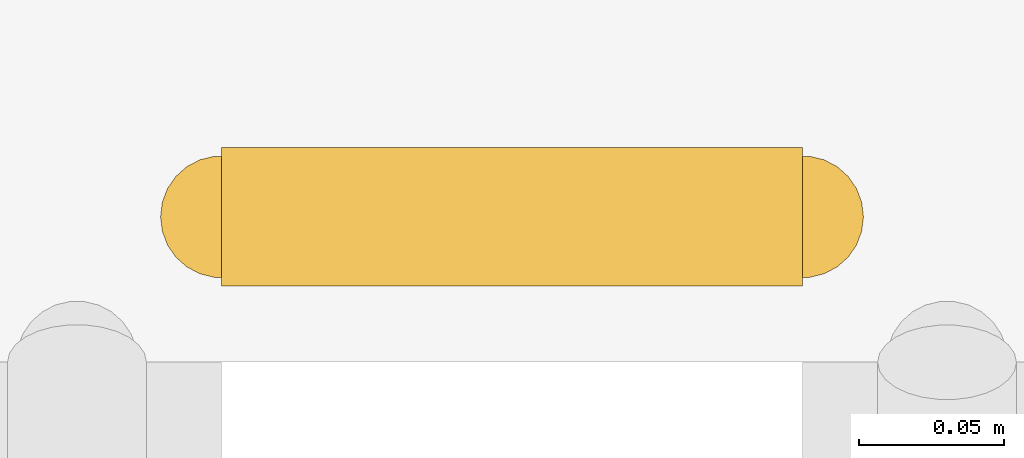
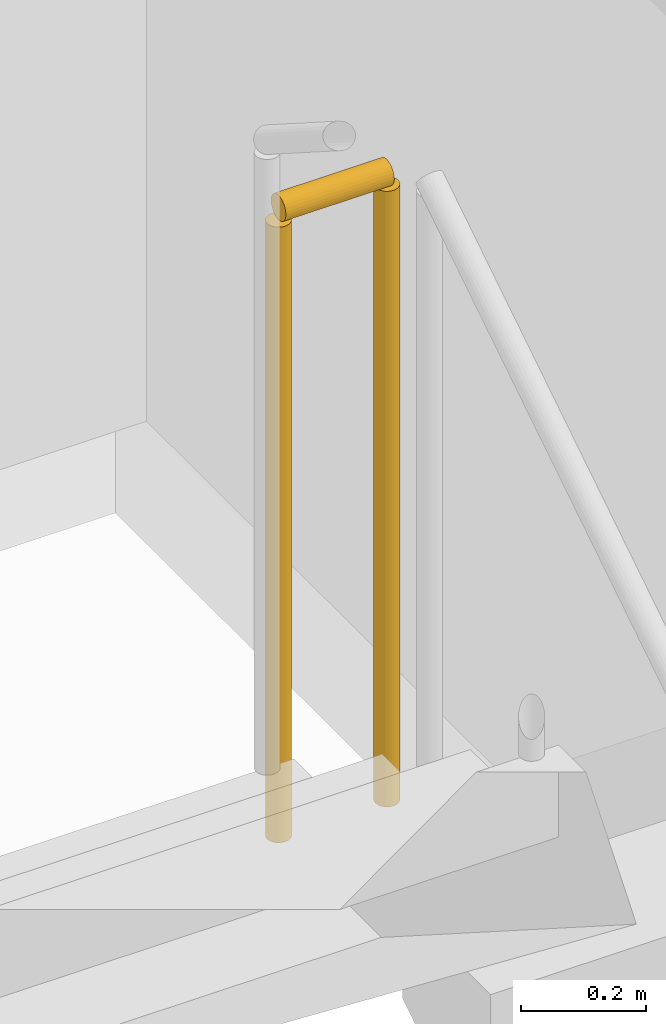
# One storey, part 11 of 11: 1 railing.
"""IFC4 building model written with IfcOpenShell, lengths in metres."""

from ifc_helpers import new_model, si_unit, direction, frame, origin, origin_2d, place, context, subcontext, project, spatial, circle, extrude, material, type_object, element, save


model = new_model("IFC4")

# Units and contexts
model_context = context("Model", 3, precision=1e-05, world=origin(), true_north=direction((0.0, 1.0)))
body_context = subcontext(model_context, "Body", "Model", "MODEL_VIEW")
ifc_project = project(units=[si_unit("LENGTHUNIT", "METRE"), si_unit("AREAUNIT", "SQUARE_METRE"), si_unit("VOLUMEUNIT", "CUBIC_METRE"), si_unit("PLANEANGLEUNIT", "RADIAN"), si_unit("MASSUNIT", "GRAM", prefix="KILO")], contexts=[model_context])

# Site, building, storey
site_placement = place(None, origin())
site = spatial("IfcSite", under=ifc_project, at=site_placement, CompositionType="ELEMENT")
building_placement = place(site_placement, origin())
building = spatial("IfcBuilding", under=site, at=building_placement, Name="Ochreholt Gables", CompositionType="ELEMENT")
storey_placement = place(building_placement, frame((0.0, 0.0, 121.199951171875)))
storey = spatial("IfcBuildingStorey", under=building, at=storey_placement, Name="L31", CompositionType="ELEMENT", Elevation=121.199951171875)

# Railing
ifc_material = material(Name="Painted Steel Stair Guardrail", Category="steel")
railing_type = type_object("IfcRailingType", Name="RL-ST-GUARD", PredefinedType="GUARDRAIL", material=ifc_material)
railing_placement = place(storey_placement, frame((26.60009765625, 35.048095703125, 1.800048828125)))
element("IfcRailing", 1, at=railing_placement, inside=storey, type_object=railing_type, Name="L31 ST-2 stair guard 2", PredefinedType="GUARDRAIL", context=body_context, shape_type="SweptSolid", body=[
    extrude(circle(Radius=0.02392578125, at=origin_2d()), frame((0.0, 0.0, 1.22607421875), z_axis=(-1.0, 0.0, 0.0), x_axis=(0.0, -1.0, 0.0)), (0.0, 0.0, 1.0), 0.2001953125),
    extrude(circle(Radius=0.02099609375, at=origin_2d()), origin(), (0.0, 0.0, 1.0), 1.201904296875),
    extrude(circle(Radius=0.02099609375, at=origin_2d()), frame((-0.2001953125, 0.0, 0.0)), (0.0, 0.0, 1.0), 1.201904296875),
])

save(model, "model.ifc")
